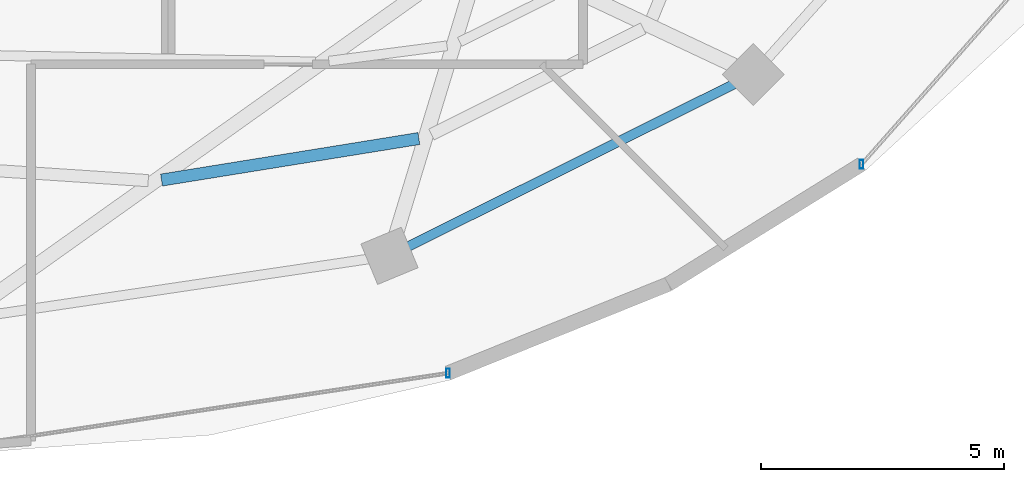
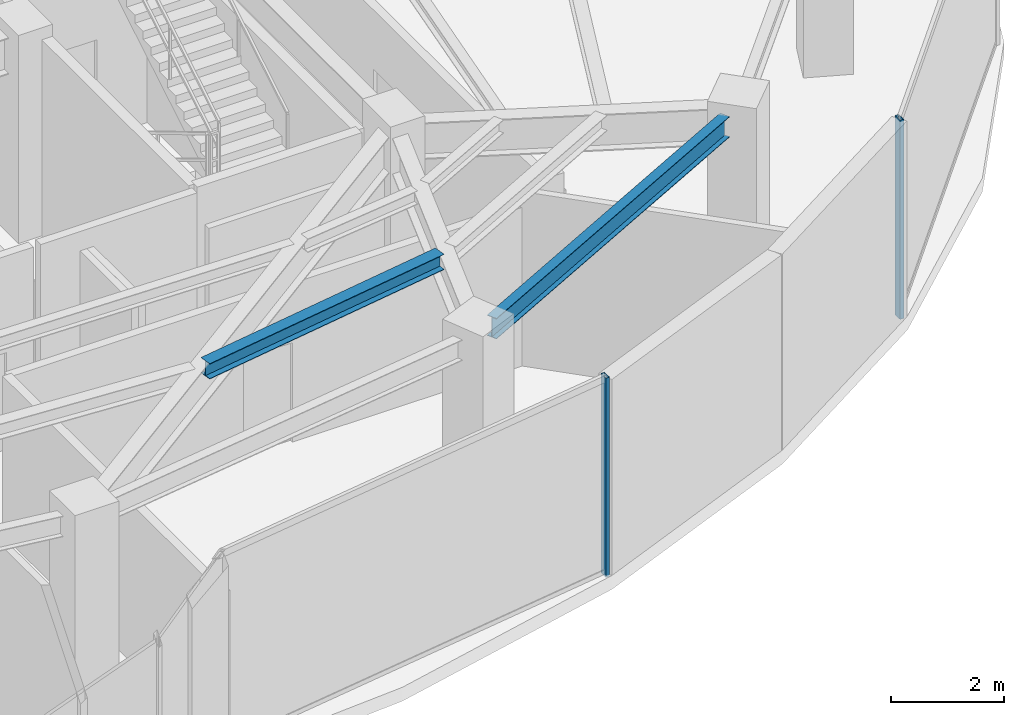
# One storey, part 11 of 27: 2 beams, 2 members, 2 elements without a shape of their own.
"""IFC4 building model written with IfcOpenShell, lengths in metres."""

import ifcopenshell
import ifcopenshell.guid

model = None  # the IFC model being written
_history = None  # IfcOwnerHistory: only IFC2X3 demands one
_inside = {}  # id of a spatial element -> (the spatial element, [elements in it])
_under = {}  # id of a project, library or spatial element -> (it, [spatial elements below it])
_declared = {}  # id of a project -> (the project, [libraries it declares])
_typed = {}  # id of a type object -> (the type object, [elements of that type])
_made_of = {}  # id of a material, layer set ... -> (it, [elements and type objects made of it])


def new_model(schema):
    """Start an empty IFC model of exactly this schema.

    Asked for "IFC4X3", IfcOpenShell would pick the latest addendum, in which some entities
    have other attributes; the version numbers below select the first issue.
    IFC2X3 requires an IfcOwnerHistory on every rooted entity: one is made here for all.
    """
    global model, _history
    if schema == "IFC4X3":
        model = ifcopenshell.file(schema_version=(4, 3, 0, 0))
    else:
        model = ifcopenshell.file(schema=schema)
    _inside.clear()
    _under.clear()
    _declared.clear()
    _typed.clear()
    _made_of.clear()
    _history = None
    if model.schema == "IFC2X3":
        org = make("IfcOrganization", Name="unknown")
        user = make(
            "IfcPersonAndOrganization",
            ThePerson=make("IfcPerson", FamilyName="unknown"),
            TheOrganization=org,
        )
        app = make(
            "IfcApplication",
            ApplicationDeveloper=org,
            Version="unknown",
            ApplicationFullName="unknown",
            ApplicationIdentifier="unknown",
        )
        _history = make(
            "IfcOwnerHistory",
            OwningUser=user,
            OwningApplication=app,
            ChangeAction="ADDED",
            CreationDate=0,
        )
    return model


def make(cls, **values):
    """One entity of the class cls with the attributes given. An attribute that is None is left unset."""
    return model.create_entity(
        cls, **{name: value for name, value in values.items() if value is not None}
    )


def rooted(cls, **values):
    """An entity with a GlobalId (a new one), such as an element, a storey or a relation."""
    return make(cls, GlobalId=ifcopenshell.guid.new(), OwnerHistory=_history, **values)


def si_unit(unit_type, name, prefix=None):
    """IfcSIUnit, for example si_unit("LENGTHUNIT", "METRE", prefix="MILLI")."""
    return make("IfcSIUnit", UnitType=unit_type, Prefix=prefix, Name=name)


def assignment(units):
    """IfcUnitAssignment: the units of a project."""
    return None if units is None else make("IfcUnitAssignment", Units=units)


def point(xyz):
    """IfcCartesianPoint."""
    return None if xyz is None else make("IfcCartesianPoint", Coordinates=xyz)


def direction(xyz):
    """IfcDirection."""
    return None if xyz is None else make("IfcDirection", DirectionRatios=xyz)


def frame(location, z_axis=None, x_axis=None):
    """IfcAxis2Placement3D, a coordinate frame: its origin and axes. An axis left out is left unset."""
    return make(
        "IfcAxis2Placement3D",
        Location=point(location),
        Axis=direction(z_axis),
        RefDirection=direction(x_axis),
    )


def frame_2d(location, x_axis=None):
    """IfcAxis2Placement2D, a coordinate frame in the plane: its origin and x axis."""
    return make(
        "IfcAxis2Placement2D", Location=point(location), RefDirection=direction(x_axis)
    )


def origin():
    """The frame at (0, 0, 0) with its axes left unset."""
    return frame((0.0, 0.0, 0.0))


def origin_2d():
    """The frame at (0, 0) in the plane with its x axis left unset."""
    return frame_2d((0.0, 0.0))


def place(relative_to, where):
    """IfcLocalPlacement: puts the frame where relative to a parent placement (None: the world)."""
    return make(
        "IfcLocalPlacement", PlacementRelTo=relative_to, RelativePlacement=where
    )


def context(
    kind, dimensions, precision=None, world=None, true_north=None, identifier=None
):
    """IfcGeometricRepresentationContext, for example the 3D "Model" context."""
    return make(
        "IfcGeometricRepresentationContext",
        ContextIdentifier=identifier,
        ContextType=kind,
        CoordinateSpaceDimension=dimensions,
        Precision=precision,
        WorldCoordinateSystem=world,
        TrueNorth=true_north,
    )


def subcontext(parent, identifier, kind, view, scale=None):
    """IfcGeometricRepresentationSubContext, for example "Body" below "Model"."""
    return make(
        "IfcGeometricRepresentationSubContext",
        ContextIdentifier=identifier,
        ContextType=kind,
        ParentContext=parent,
        TargetScale=scale,
        TargetView=view,
    )


def project(units=None, contexts=None):
    """IfcProject with its units and contexts."""
    return rooted(
        "IfcProject",
        Name="project",
        RepresentationContexts=contexts,
        UnitsInContext=assignment(units),
    )


def spatial(cls, under=None, at=None, **own):
    """A site, building, storey or space (cls), placed at a placement, below another one or the project."""
    s = rooted(cls, ObjectPlacement=at, **own)
    if under is not None:
        _under.setdefault(under.id(), (under, []))[1].append(s)
    return s


def profile(cls, at=None, kind="AREA", **sizes):
    """A parametric profile (cls). Its sizes go by their IFC names, for example OverallWidth=200.0."""
    return make(cls, ProfileType=kind, Position=at, **sizes)


def hollow_rectangle(**sizes):
    """IfcRectangleHollowProfileDef."""
    return profile("IfcRectangleHollowProfileDef", **sizes)


def i_section(**sizes):
    """IfcIShapeProfileDef."""
    return profile("IfcIShapeProfileDef", **sizes)


def extrude(swept, where, along, depth):
    """IfcExtrudedAreaSolid: the profile swept, set in the frame where, extruded along a direction by depth."""
    return make(
        "IfcExtrudedAreaSolid",
        SweptArea=swept,
        Position=where,
        ExtrudedDirection=direction(along),
        Depth=depth,
    )


def shape(context_of_items, identifier, shape_type, items):
    """IfcShapeRepresentation: the items that make up one representation, for example the "Body"."""
    return make(
        "IfcShapeRepresentation",
        ContextOfItems=context_of_items,
        RepresentationIdentifier=identifier,
        RepresentationType=shape_type,
        Items=items,
    )


def material(Name=None, Category=None):
    """IfcMaterial."""
    return make("IfcMaterial", Name=Name, Category=Category)


def material_profile(
    of_material, cross_section, Name=None, Category=None, Priority=None
):
    """IfcMaterialProfile: a cross section and its material."""
    return make(
        "IfcMaterialProfile",
        Name=Name,
        Material=of_material,
        Profile=cross_section,
        Priority=Priority,
        Category=Category,
    )


def profile_set(profiles, Name=None, composite=None):
    """IfcMaterialProfileSet."""
    return make(
        "IfcMaterialProfileSet",
        Name=Name,
        MaterialProfiles=profiles,
        CompositeProfile=composite,
    )


def made_of(thing, what):
    """Note that an element or type object is made of a material, layer set ...; save() writes the relation."""
    if what is not None:
        _made_of.setdefault(what.id(), (what, []))[1].append(thing)
    return thing


def type_object(cls, material=None, **own):
    """A type object (cls), such as IfcWallType, which elements share."""
    return made_of(rooted(cls, **own), material)


def element(
    cls,
    number,
    at=None,
    inside=None,
    cuts=None,
    type_object=None,
    material=None,
    context=None,
    identifier="Body",
    shape_type=None,
    held_by="IfcProductDefinitionShape",
    body=None,
    shapes=None,
    **own,
):
    """One element of the class cls, such as IfcWall. Its Tag is "e" and its number.

    at: its placement. inside: the storey or other place that contains it. cuts: it is an
    opening in that element (IfcRelVoidsElement). A single representation is given by context,
    identifier, shape_type and body (its items); several are given by shapes. held_by: the class
    of the entity that holds the representations. save() writes the other relations.
    """
    e = rooted(cls, Tag="e%d" % number, ObjectPlacement=at, **own)
    if body is not None:
        shapes = [shape(context, identifier, shape_type, body)]
    if shapes is not None:
        e.Representation = make(held_by, Representations=shapes)
    if inside is not None:
        _inside.setdefault(inside.id(), (inside, []))[1].append(e)
    if cuts is not None:
        rooted(
            "IfcRelVoidsElement", RelatingBuildingElement=cuts, RelatedOpeningElement=e
        )
    if type_object is not None:
        _typed.setdefault(type_object.id(), (type_object, []))[1].append(e)
    return made_of(e, material)


def aggregate(whole, parts):
    """IfcRelAggregates: a whole, such as a stair, and the parts it consists of."""
    return rooted("IfcRelAggregates", RelatingObject=whole, RelatedObjects=parts)


def save(model, path):
    """Write the relations noted so far, then the file.

    IfcRelAggregates (storeys below a building ...), IfcRelContainedInSpatialStructure (elements
    in a storey), IfcRelDefinesByType, IfcRelAssociatesMaterial and IfcRelDeclares: one each for
    every whole, place, type object, material and project.
    """
    for whole, parts in _under.values():
        aggregate(whole, parts)
    for where, things in _inside.values():
        rooted(
            "IfcRelContainedInSpatialStructure",
            RelatedElements=things,
            RelatingStructure=where,
        )
    for kind, things in _typed.values():
        rooted("IfcRelDefinesByType", RelatedObjects=things, RelatingType=kind)
    for what, things in _made_of.values():
        rooted("IfcRelAssociatesMaterial", RelatedObjects=things, RelatingMaterial=what)
    for by, libraries in _declared.values():
        rooted("IfcRelDeclares", RelatingContext=by, RelatedDefinitions=libraries)
    model.write(path)


model = new_model("IFC4")

# Units and contexts
model_context = context("Model", 3, precision=1e-05, world=origin(), true_north=direction((0.0, 1.0)))
body_context = subcontext(model_context, "Body", "Model", "MODEL_VIEW")
ifc_project = project(units=[si_unit("LENGTHUNIT", "METRE"), si_unit("AREAUNIT", "SQUARE_METRE"), si_unit("VOLUMEUNIT", "CUBIC_METRE"), si_unit("PLANEANGLEUNIT", "RADIAN"), si_unit("MASSUNIT", "GRAM", prefix="KILO")], contexts=[model_context])

# Site, building, storey
site_placement = place(None, origin())
site = spatial("IfcSite", under=ifc_project, at=site_placement, CompositionType="ELEMENT")
building_placement = place(site_placement, origin())
building = spatial("IfcBuilding", under=site, at=building_placement, Name="Vorneva Point Tower", CompositionType="ELEMENT")
storey_placement = place(building_placement, frame((0.0, 0.0, 229.75)))
storey = spatial("IfcBuildingStorey", under=building, at=storey_placement, Name="L62", CompositionType="ELEMENT", Elevation=229.75)

# Beams
ifc_material_1 = material(Name="Steel S355", Category="steel")
ifc_material_profile_1 = material_profile(ifc_material_1, i_section(OverallWidth=0.2490234375, OverallDepth=0.333984375, WebThickness=0.008056640625, FlangeThickness=0.010986328125, at=origin_2d()), Name="35Sh1")
ifc_profile_set_1 = profile_set([ifc_material_profile_1], Name="Steel S355")
beam_type_1 = type_object("IfcBeamType", Name="BM-SEC-35Sh1", PredefinedType="BEAM", material=ifc_profile_set_1)
beam_1_placement = place(storey_placement, frame((42.135009765625, 11.66748046875, 4.072998046875), z_axis=(0.987232801798, 0.159284007527, 0.0), x_axis=(-0.159284007527, 0.987232801798, 0.0)))
element("IfcBeam", 1, at=beam_1_placement, inside=storey, type_object=beam_type_1, Name="L62 Secondary Floor Beam 1.13", PredefinedType="BEAM", context=body_context, shape_type="SweptSolid", body=[
    extrude(i_section(OverallWidth=0.2490234375, OverallDepth=0.333984375, WebThickness=0.008056640625, FlangeThickness=0.010986328125, at=origin_2d()), origin(), (0.0, 0.0, 1.0), 5.3583984375),
])
ifc_material_profile_2 = material_profile(ifc_material_1, i_section(OverallWidth=0.198974609375, OverallDepth=0.446044921875, WebThickness=0.008056640625, FlangeThickness=0.011962890625, at=origin_2d()), Name="45B1")
ifc_profile_set_2 = profile_set([ifc_material_profile_2], Name="Steel S355")
beam_type_2 = type_object("IfcBeamType", Name="BM-SPN-45B1", PredefinedType="SPANDREL", material=ifc_profile_set_2)
beam_2_placement = place(storey_placement, frame((47.210205078125, 10.303466796875, 4.01708984375), z_axis=(0.894922371084, 0.446221861559, 0.0), x_axis=(-0.446221861559, 0.894922371084, 0.0)))
element("IfcBeam", 2, at=beam_2_placement, inside=storey, type_object=beam_type_2, Name="L62 Perimeter Spandrel Ring Beam 14", PredefinedType="SPANDREL", context=body_context, shape_type="SweptSolid", body=[
    extrude(i_section(OverallWidth=0.198974609375, OverallDepth=0.446044921875, WebThickness=0.008056640625, FlangeThickness=0.011962890625, at=origin_2d()), origin(), (0.0, 0.0, 1.0), 7.48583984375),
])

# Curtain wall, member
ifc_material_2 = material(Name="Pale anodised aluminium", Category="aluminium")
curtain_wall_type = type_object("IfcCurtainWallType", Name="CW-SKY-SYS", PredefinedType="NOTDEFINED", material=ifc_material_2)
curtain_wall_1_placement = place(storey_placement, origin())
curtain_wall_1 = element("IfcCurtainWall", 3, at=curtain_wall_1_placement, inside=storey, type_object=curtain_wall_type, Name="L62 Unitised Curtain Wall CW-L62-R01", PredefinedType="NOTDEFINED")
ifc_material_profile_3 = material_profile(ifc_material_2, hollow_rectangle(XDim=0.074951171875, YDim=0.179931640625, WallThickness=0.00390625, at=origin_2d()), Name="AL-MUL 180x75x4")
ifc_profile_set_3 = profile_set([ifc_material_profile_3], Name="Pale anodised aluminium")
member_type = type_object("IfcMemberType", Name="CW-MUL-180", PredefinedType="MULLION", material=ifc_profile_set_3)
member_1_placement = place(storey_placement, frame((56.526123046875, 11.9921875, -0.0400390625), z_axis=(0.0, 0.0, 1.0), x_axis=(1.0, 0.0, 0.0)))
member_1 = element("IfcMember", 4, at=member_1_placement, type_object=member_type, Name="CW-L62-R01 Mullion 01", PredefinedType="MULLION", context=body_context, shape_type="SweptSolid", body=[
    extrude(hollow_rectangle(XDim=0.074951171875, YDim=0.179931640625, WallThickness=0.00390625, at=origin_2d()), origin(), (0.0, 0.0, 1.0), 4.31005859375),
])
aggregate(curtain_wall_1, [member_1])

curtain_wall_2_placement = place(storey_placement, origin())
curtain_wall_2 = element("IfcCurtainWall", 5, at=curtain_wall_2_placement, inside=storey, type_object=curtain_wall_type, Name="L62 Unitised Curtain Wall CW-L62-R04", PredefinedType="NOTDEFINED")
member_2_placement = place(storey_placement, frame((48.0263671875, 7.697998046875, -0.0400390625), z_axis=(0.0, 0.0, 1.0), x_axis=(1.0, 0.0, 0.0)))
member_2 = element("IfcMember", 6, at=member_2_placement, type_object=member_type, Name="CW-L62-R04 Mullion 04", PredefinedType="MULLION", context=body_context, shape_type="SweptSolid", body=[
    extrude(hollow_rectangle(XDim=0.074951171875, YDim=0.179931640625, WallThickness=0.00390625, at=origin_2d()), origin(), (0.0, 0.0, 1.0), 4.31005859375),
])
aggregate(curtain_wall_2, [member_2])

save(model, "model.ifc")
